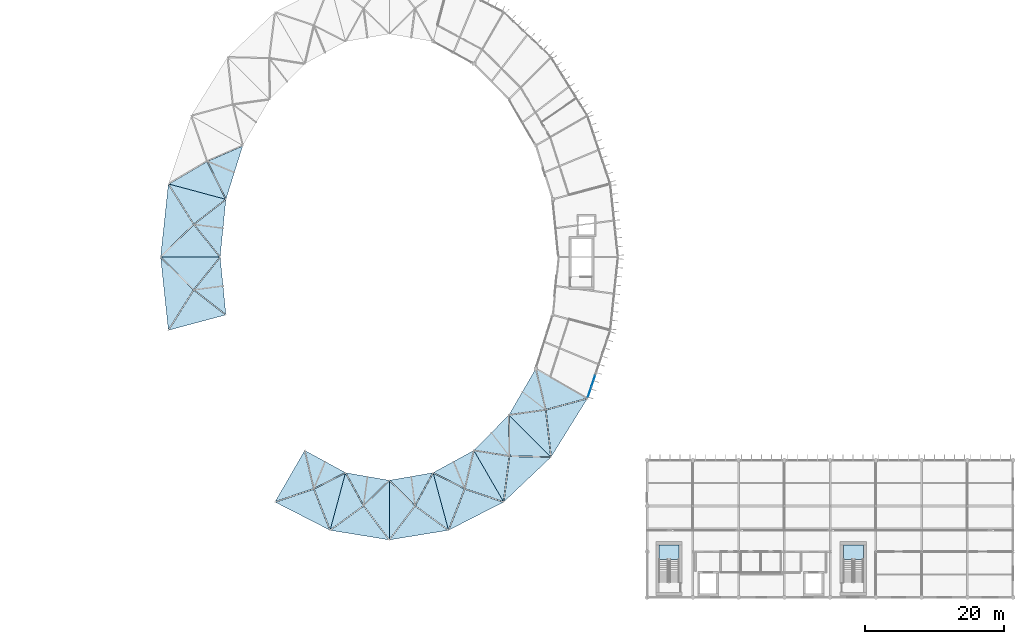
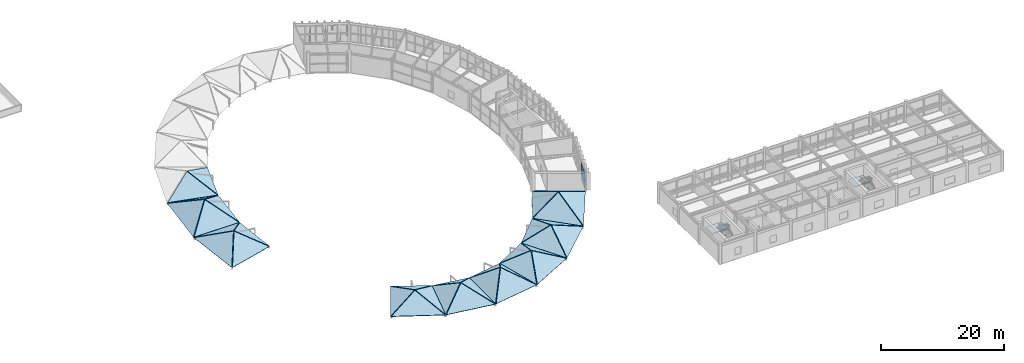
# One storey, part 45 of 66: 36 slabs, 4 plates, 3 elements without a shape of their own.
"""IFC4 building model written with IfcOpenShell, lengths in metres."""

from ifc_helpers import new_model, si_unit, direction, frame, origin, origin_2d, place, context, subcontext, project, spatial, polyline, rectangle, outline, extrude, material, layer, layer_set, type_object, element, aggregate, save


model = new_model("IFC4")

# Units and contexts
model_context = context("Model", 3, precision=1e-05, world=origin(), true_north=direction((0.0, 1.0)))
body_context = subcontext(model_context, "Body", "Model", "MODEL_VIEW")
ifc_project = project(units=[si_unit("LENGTHUNIT", "METRE"), si_unit("AREAUNIT", "SQUARE_METRE"), si_unit("VOLUMEUNIT", "CUBIC_METRE"), si_unit("PLANEANGLEUNIT", "RADIAN"), si_unit("MASSUNIT", "GRAM", prefix="KILO")], contexts=[model_context])

# Site, building, storey
site_placement = place(None, origin())
site = spatial("IfcSite", under=ifc_project, at=site_placement, CompositionType="ELEMENT")
building_placement = place(site_placement, origin())
building = spatial("IfcBuilding", under=site, at=building_placement, Name="Karori Crest Natural Sciences Institute", CompositionType="ELEMENT")
storey_placement = place(building_placement, frame((0.0, 0.0, 30.10009765625)))
storey = spatial("IfcBuildingStorey", under=building, at=storey_placement, Name="L07", CompositionType="ELEMENT", Elevation=30.10009765625)

# Curtain wall, plates
ifc_material_1 = material(Name="Anodised architectural aluminium 6063-T6", Category="aluminium")
curtain_wall_type = type_object("IfcCurtainWallType", Name="CWT-03", PredefinedType="NOTDEFINED", material=ifc_material_1)
curtain_wall_placement = place(storey_placement, origin())
curtain_wall = element("IfcCurtainWall", 1, at=curtain_wall_placement, inside=storey, type_object=curtain_wall_type, Name="Curtain wall CW-0240", PredefinedType="NOTDEFINED")
ifc_material_2 = material(Name="Double low-E laminated glass", Category="glass")
ifc_layer_1 = layer(ifc_material_2, 0.033935546875, Name="Double low-E laminated glass")
ifc_layer_set_1 = layer_set([ifc_layer_1], Name="Double low-E laminated glass")
plate_type = type_object("IfcPlateType", Name="CWP-02", PredefinedType="CURTAIN_PANEL", material=ifc_layer_set_1)
plate_1_placement = place(storey_placement, frame((95.827880859375, 32.0341796875, 0.06494140625), z_axis=(0.0, 0.0, 1.0), x_axis=(-0.317679803392, -0.94819805026, 0.0)))
plate_1 = element("IfcPlate", 2, at=plate_1_placement, type_object=plate_type, Name="CW-0240 panel 5.1", PredefinedType="CURTAIN_PANEL", context=body_context, shape_type="SweptSolid", body=[
    extrude(rectangle(XDim=1.628662109375, YDim=0.033935546875, at=origin_2d()), origin(), (0.0, 0.0, 1.0), 1.6650390625),
])
plate_2_placement = place(storey_placement, frame((95.827880859375, 32.0341796875, 1.794921875), z_axis=(0.0, 0.0, 1.0), x_axis=(-0.317679803392, -0.94819805026, 0.0)))
plate_2 = element("IfcPlate", 3, at=plate_2_placement, type_object=plate_type, Name="CW-0240 panel 5.2", PredefinedType="CURTAIN_PANEL", context=body_context, shape_type="SweptSolid", body=[
    extrude(rectangle(XDim=1.628662109375, YDim=0.033935546875, at=origin_2d()), origin(), (0.0, 0.0, 1.0), 1.6650390625),
])
plate_3_placement = place(storey_placement, frame((95.294921875, 30.443603515625, 0.06494140625), z_axis=(0.0, 0.0, 1.0), x_axis=(-0.317679803392, -0.94819805026, 0.0)))
plate_3 = element("IfcPlate", 4, at=plate_3_placement, type_object=plate_type, Name="CW-0240 panel 6.1", PredefinedType="CURTAIN_PANEL", context=body_context, shape_type="SweptSolid", body=[
    extrude(rectangle(XDim=1.59619140625, YDim=0.033935546875, at=origin_2d()), origin(), (0.0, 0.0, 1.0), 1.6650390625),
])
plate_4_placement = place(storey_placement, frame((95.294921875, 30.443603515625, 1.794921875), z_axis=(0.0, 0.0, 1.0), x_axis=(-0.317679803392, -0.94819805026, 0.0)))
plate_4 = element("IfcPlate", 5, at=plate_4_placement, type_object=plate_type, Name="CW-0240 panel 6.2", PredefinedType="CURTAIN_PANEL", context=body_context, shape_type="SweptSolid", body=[
    extrude(rectangle(XDim=1.59619140625, YDim=0.033935546875, at=origin_2d()), origin(), (0.0, 0.0, 1.0), 1.6650390625),
])
aggregate(curtain_wall, [plate_1, plate_2, plate_3, plate_4])

# Stair, slab
ifc_material_3 = material(Name="Concrete 40 MPa", Category="concrete")
stair_type = type_object("IfcStairType", Name="STT-01", PredefinedType="HALF_TURN_STAIR", material=ifc_material_3)
stair_1_placement = place(storey_placement, origin())
stair_1 = element("IfcStair", 6, at=stair_1_placement, inside=storey, type_object=stair_type, Name="Protected stair ST-03-L07", PredefinedType="HALF_TURN_STAIR")
ifc_layer_2 = layer(ifc_material_3, 0.2099609375, Name="Concrete 40 MPa")
ifc_layer_set_2 = layer_set([ifc_layer_2], Name="Concrete 40 MPa")
slab_type_1 = type_object("IfcSlabType", Name="SLT-11", PredefinedType="LANDING", material=ifc_layer_set_2)
slab_1_placement = place(storey_placement, frame((0.0, 0.0, 1.889892578125)))
slab_1 = element("IfcSlab", 7, at=slab_1_placement, type_object=slab_type_1, Name="ST-03-L07 landing 1", PredefinedType="LANDING", context=body_context, shape_type="SweptSolid", body=[
    extrude(outline(polyline([(108.199951171875, 6.300048828125), (108.199951171875, 8.39990234375), (105.300048828125, 8.39990234375), (105.300048828125, 6.300048828125), (108.199951171875, 6.300048828125)])), origin(), (0.0, 0.0, 1.0), 0.2099609375),
])
aggregate(stair_1, [slab_1])

stair_2_placement = place(storey_placement, origin())
stair_2 = element("IfcStair", 8, at=stair_2_placement, inside=storey, type_object=stair_type, Name="Protected stair ST-04-L07", PredefinedType="HALF_TURN_STAIR")
slab_2_placement = place(storey_placement, frame((0.0, 0.0, 1.889892578125)))
slab_2 = element("IfcSlab", 9, at=slab_2_placement, type_object=slab_type_1, Name="ST-04-L07 landing 1", PredefinedType="LANDING", context=body_context, shape_type="SweptSolid", body=[
    extrude(outline(polyline([(134.800048828125, 6.300048828125), (134.800048828125, 8.39990234375), (131.89990234375, 8.39990234375), (131.89990234375, 6.300048828125), (134.800048828125, 6.300048828125)])), origin(), (0.0, 0.0, 1.0), 0.2099609375),
])
aggregate(stair_2, [slab_2])

# Slabs
ifc_layer_3 = layer(ifc_material_2, 0.139892578125, Name="Double low-E laminated glass")
ifc_layer_set_3 = layer_set([ifc_layer_3], Name="Double low-E laminated glass")
slab_type_2 = type_object("IfcSlabType", Name="SLT-14", PredefinedType="ROOF", material=ifc_layer_set_3)
slab_3_placement = place(storey_placement, frame((34.52685546875, 60.4609375, 0.05078125), z_axis=(-0.120848035393, -0.451048432969, 0.884279968934), x_axis=(0.965925242838, -0.258821222275, -1.214411e-05)))
element("IfcSlab", 10, at=slab_3_placement, inside=storey, type_object=slab_type_2, Name="V1-G11B Crystal gable SL-0051", PredefinedType="ROOF", context=body_context, shape_type="SweptSolid", body=[
    extrude(outline(polyline([(0.0, 0.0), (8.595895845284737, 0.0), (8.463136089386177, 0.07065287080297653), (4.540621175702531, 5.127993971487937), (0.13645442825438853, 0.0631136807080263), (0.0, 0.0)])), origin(), (0.0, 0.0, -1.0), 0.139892578125),
])
slab_4_placement = place(storey_placement, frame((42.830322265625, 58.236328125, 0.05078125), z_axis=(0.475498070616, -0.149236203586, 0.866966054918), x_axis=(0.299458042384, 0.954109470045, -4.667159e-06)))
element("IfcSlab", 11, at=slab_4_placement, inside=storey, type_object=slab_type_2, Name="V1-G11C Crystal gable SL-0052", PredefinedType="ROOF", context=body_context, shape_type="SweptSolid", body=[
    extrude(outline(polyline([(0.0, 0.0), (8.135558665909217, -4.440892098500626e-16), (8.003776424241813, 0.0724379933230777), (4.440515341066401, 4.798983329928966), (0.13820800107557174, 0.06011598479671565), (0.0, 0.0)])), origin(), (0.0, 0.0, -1.0), 0.139892578125),
])
slab_5_placement = place(storey_placement, frame((34.52587890625, 60.45751953125, 0.051025390625), z_axis=(-0.577218105075, 0.061468341202, 0.814273235593), x_axis=(-0.105888463389, -0.99437801329, 2.49157e-06)))
element("IfcSlab", 12, at=slab_5_placement, inside=storey, type_object=slab_type_2, Name="V1-G12A Crystal gable SL-0054", PredefinedType="ROOF", context=body_context, shape_type="SweptSolid", body=[
    extrude(outline(polyline([(0.0, 0.0), (10.615341374037307, 0.0), (10.474669390836198, 0.053723788070869624), (5.412531711730239, 5.1446586102980065), (0.1416809457531781, 0.050824472288955216), (0.0, 0.0)])), origin(), (0.0, 0.0, -1.0), 0.139892578125),
])
slab_6_placement = place(storey_placement, frame((33.402099609375, 49.901611328125, 0.051025390625), z_axis=(-4.833816e-06, -0.540916773915, 0.841076122402), x_axis=(0.999999999988, -2.614692e-06, 4.065607e-06)))
element("IfcSlab", 13, at=slab_6_placement, inside=storey, type_object=slab_type_2, Name="V1-G12B Crystal gable SL-0055", PredefinedType="ROOF", context=body_context, shape_type="SweptSolid", body=[
    extrude(outline(polyline([(0.0, 0.0), (8.595947265524575, -3.640525273422444e-21), (8.468017577457296, 0.07916850997425197), (4.781250000645214, 5.512063244231116), (0.13598632735548313, 0.06433815455863098), (0.0, 0.0)])), origin(), (0.0, 0.0, -1.0), 0.139892578125),
])
slab_7_placement = place(storey_placement, frame((41.99853515625, 49.902099609375, 0.051025390625), z_axis=(0.577656153301, -0.057627409069, 0.814243483411), x_axis=(0.099271128498, 0.995060421804, -2.240419e-06)))
element("IfcSlab", 14, at=slab_7_placement, inside=storey, type_object=slab_type_2, Name="V1-G12C Crystal gable SL-0056", PredefinedType="ROOF", context=body_context, shape_type="SweptSolid", body=[
    extrude(outline(polyline([(0.0, 0.0), (8.37143078939847, 0.0), (8.238586299403101, 0.07075460334200238), (4.318425857711658, 5.131914083279554), (0.1349353515515868, 0.0665174449090413), (0.0, 0.0)])), origin(), (0.0, 0.0, -1.0), 0.139892578125),
])
slab_8_placement = place(storey_placement, frame((42.8291015625, 58.23291015625, 0.051025390625), z_axis=(0.14071669115, 0.525213577695, 0.839255331015), x_axis=(-0.96592747076, 0.258812907505, -1.1838506e-05)))
element("IfcSlab", 15, at=slab_8_placement, inside=storey, type_object=slab_type_2, Name="V1-G12D Crystal gable SL-0057", PredefinedType="ROOF", context=body_context, shape_type="SweptSolid", body=[
    extrude(outline(polyline([(0.0, 0.0), (8.596131666659662, -2.220446049250313e-16), (8.458180987734385, 0.06037323203599581), (3.55639451632108, 5.483109214198899), (0.12538237852449038, 0.08308810042035258), (0.0, 0.0)])), origin(), (0.0, 0.0, -1.0), 0.139892578125),
])
slab_9_placement = place(storey_placement, frame((33.40185546875, 49.898193359375, 0.05078125), z_axis=(-0.506009274697, -0.05388061879, 0.86084347755), x_axis=(0.105883922036, -0.994378496878, 6.01583e-07)))
element("IfcSlab", 16, at=slab_9_placement, inside=storey, type_object=slab_type_2, Name="V1-G13A Crystal gable SL-0058", PredefinedType="ROOF", context=body_context, shape_type="SweptSolid", body=[
    extrude(outline(polyline([(0.0, 0.0), (10.615584142231457, 0.0), (10.47231723363255, 0.04686589252687182), (5.202835423411619, 4.864060678923983), (0.1422937023715231, 0.04975693977212323), (0.0, 0.0)])), origin(), (0.0, 0.0, -1.0), 0.139892578125),
])
slab_10_placement = place(storey_placement, frame((34.52587890625, 39.34228515625, 0.05078125), z_axis=(0.122493682275, -0.457110022322, 0.880934574924), x_axis=(0.965924210726, 0.258825074227, -9.169709e-06)))
element("IfcSlab", 17, at=slab_10_placement, inside=storey, type_object=slab_type_2, Name="V1-G13B Crystal gable SL-0059", PredefinedType="ROOF", context=body_context, shape_type="SweptSolid", body=[
    extrude(outline(polyline([(0.0, 0.0), (8.596131667049193, -2.220446049250313e-16), (8.468690082911829, 0.08005325979905033), (5.039829661354854, 5.221884204543359), (0.13936561031759342, 0.05719038200727848), (0.0, 0.0)])), origin(), (0.0, 0.0, -1.0), 0.139892578125),
])
slab_11_placement = place(storey_placement, frame((42.82958984375, 41.56787109375, 0.05078125), z_axis=(0.506398394891, 0.050514173909, 0.860818786904), x_axis=(-0.099271359682, 0.995060398717, 7.206128e-06)))
element("IfcSlab", 18, at=slab_11_placement, inside=storey, type_object=slab_type_2, Name="V1-G13C Crystal gable SL-0060", PredefinedType="ROOF", context=body_context, shape_type="SweptSolid", body=[
    extrude(outline(polyline([(0.0, 0.0), (8.371187854537347, 0.0), (8.23450364460897, 0.0626525029939694), (4.0530903027688545, 4.852138866056334), (0.13456943664357549, 0.06708648664429229), (0.0, 0.0)])), origin(), (0.0, 0.0, -1.0), 0.139892578125),
])
slab_12_placement = place(storey_placement, frame((41.998046875, 49.898193359375, 0.05078125), z_axis=(8.454095e-06, 0.470581165146, 0.882356711845), x_axis=(-0.999999999964, 3.978338e-06, 7.459527e-06)))
element("IfcSlab", 19, at=slab_12_placement, inside=storey, type_object=slab_type_2, Name="V1-G13D Crystal gable SL-0061", PredefinedType="ROOF", context=body_context, shape_type="SweptSolid", body=[
    extrude(outline(polyline([(0.0, 0.0), (8.595947265317816, 3.640525273422444e-21), (8.458496094665966, 0.06094898781789664), (3.814697264508939, 5.2520967382295565), (0.1296386724825796, 0.0761287907824827), (0.0, 0.0)])), origin(), (0.0, 0.0, -1.0), 0.139892578125),
])
slab_13_placement = place(storey_placement, frame((49.902587890625, 14.56689453125, 0.05078125), z_axis=(-0.207840484198, -0.405826234907, 0.8900041574), x_axis=(0.890063872145, -0.455835829549, 1.31203e-06)))
element("IfcSlab", 20, at=slab_13_placement, inside=storey, type_object=slab_type_2, Name="V1-G17A Crystal gable SL-0074", PredefinedType="ROOF", context=body_context, shape_type="SweptSolid", body=[
    extrude(outline(polyline([(0.0, 0.0), (8.937919823573427, 4.440892098500626e-16), (8.79705072421329, 0.05265013544860614), (4.129302267599499, 4.681798905788411), (0.13648550424091396, 0.06338396984898811), (0.0, 0.0)])), origin(), (0.0, 0.0, -1.0), 0.139892578125),
])
slab_14_placement = place(storey_placement, frame((57.85791015625, 10.49267578125, 0.05078125), z_axis=(0.478749432719, -0.128307176002, 0.868525330234), x_axis=(0.258817695459, 0.965926187444, 3.0438328e-05)))
element("IfcSlab", 21, at=slab_14_placement, inside=storey, type_object=slab_type_2, Name="V1-G17B Crystal gable SL-0075", PredefinedType="ROOF", context=body_context, shape_type="SweptSolid", body=[
    extrude(outline(polyline([(0.0, 0.0), (8.59583265376409, 0.0), (8.4628094389476, 0.0699866748144268), (5.1540761317209745, 4.301282865240061), (0.14478282519483937, 0.041441282146889184), (0.0, 0.0)])), origin(), (0.0, 0.0, -1.0), 0.139892578125),
])
slab_15_placement = place(storey_placement, frame((60.082275390625, 18.796630859375, 0.05078125), z_axis=(0.219150250554, 0.400882847755, 0.889531399141), x_axis=(-0.877462454437, 0.479645328118, 1.6336346e-05)))
element("IfcSlab", 22, at=slab_15_placement, inside=storey, type_object=slab_type_2, Name="V1-G17C Crystal gable SL-0076", PredefinedType="ROOF", context=body_context, shape_type="SweptSolid", body=[
    extrude(outline(polyline([(0.0, 0.0), (6.702646535170945, -4.440892098500626e-16), (6.568869463194313, 0.06863583689517261), (2.9007959544157544, 4.655117382163888), (0.12373680466496423, 0.08543646642863956), (0.0, 0.0)])), origin(), (0.0, 0.0, -1.0), 0.139892578125),
])
slab_16_placement = place(storey_placement, frame((54.200439453125, 22.011474609375, 0.05078125), z_axis=(-0.42139670797, 0.243294159613, 0.873631939898), x_axis=(-0.499991063534, -0.866030563171, 6.398436e-06)))
element("IfcSlab", 23, at=slab_16_placement, inside=storey, type_object=slab_type_2, Name="V1-G17D Crystal gable SL-0077", PredefinedType="ROOF", context=body_context, shape_type="SweptSolid", body=[
    extrude(outline(polyline([(0.0, 0.0), (8.595909818028236, 8.881784197001252e-16), (8.455283456902908, 0.05359514129269759), (4.148141292241342, 4.38274308792331), (0.1386767781519309, 0.058723399112903994), (0.0, 0.0)])), origin(), (0.0, 0.0, -1.0), 0.139892578125),
])
slab_17_placement = place(storey_placement, frame((57.861083984375, 10.49169921875, 0.05078125), z_axis=(-0.083691833083, -0.514140861677, 0.853612822906), x_axis=(0.987009242636, -0.160663483558, 1.113982e-06)))
element("IfcSlab", 24, at=slab_17_placement, inside=storey, type_object=slab_type_2, Name="V1-G18A Crystal gable SL-0078", PredefinedType="ROOF", context=body_context, shape_type="SweptSolid", body=[
    extrude(outline(polyline([(0.0, 0.0), (8.64947161741292, 2.220446049250313e-16), (8.512120206760377, 0.061129561768364475), (4.196387329924574, 4.895190633119972), (0.13563240457422074, 0.0653660906511011), (0.0, 0.0)])), origin(), (0.0, 0.0, -1.0), 0.139892578125),
])
slab_18_placement = place(storey_placement, frame((66.3984375, 9.10205078125, 0.051025390625), z_axis=(0.573490278875, -9.395845e-06, 0.819212365597), x_axis=(5.388426e-06, 0.999999999956, 7.697192e-06)))
element("IfcSlab", 25, at=slab_18_placement, inside=storey, type_object=slab_type_2, Name="V1-G18B Crystal gable SL-0079", PredefinedType="ROOF", context=body_context, shape_type="SweptSolid", body=[
    extrude(outline(polyline([(0.0, 0.0), (8.595947265245567, 0.0), (8.461669921667742, 0.06766263704686402), (4.913330078176472, 4.441393057813249), (0.1430664056647445, 0.04734184255216353), (0.0, 0.0)])), origin(), (0.0, 0.0, -1.0), 0.139892578125),
])
slab_19_placement = place(storey_placement, frame((66.397705078125, 17.69873046875, 0.05078125), z_axis=(0.089212906604, 0.513360438442, 0.853523355004), x_axis=(-0.985240268485, 0.171177138583, 2.4108468e-05)))
element("IfcSlab", 26, at=slab_19_placement, inside=storey, type_object=slab_type_2, Name="V1-G18C Crystal gable SL-0080", PredefinedType="ROOF", context=body_context, shape_type="SweptSolid", body=[
    extrude(outline(polyline([(0.0, 0.0), (6.405811208494654, 0.0), (6.277871825768253, 0.07921833348466197), (3.0304515321299155, 4.873708747738736), (0.12360393425078456, 0.08559965265775006), (0.0, 0.0)])), origin(), (0.0, 0.0, -1.0), 0.139892578125),
])
slab_20_placement = place(storey_placement, frame((60.0859375, 18.794921875, 0.051025390625), z_axis=(-0.55052666811, 0.147511602028, 0.821681638451), x_axis=(-0.258819066188, -0.965925820637, -1.865576e-06)))
element("IfcSlab", 27, at=slab_20_placement, inside=storey, type_object=slab_type_2, Name="V1-G18D Crystal gable SL-0081", PredefinedType="ROOF", context=body_context, shape_type="SweptSolid", body=[
    extrude(outline(polyline([(0.0, 0.0), (8.59613166749273, -2.220446049250313e-16), (8.454825378286145, 0.05176843823828796), (3.9413286201560815, 4.46955383873624), (0.13645938089269927, 0.0633066884912117), (0.0, 0.0)])), origin(), (0.0, 0.0, -1.0), 0.139892578125),
])
slab_21_placement = place(storey_placement, frame((66.401611328125, 9.101806640625, 0.051025390625), z_axis=(0.092938673054, -0.571078628981, 0.815617313801), x_axis=(0.98701118845, 0.160651528516, 1.611602e-05)))
element("IfcSlab", 28, at=slab_21_placement, inside=storey, type_object=slab_type_2, Name="V1-G19A Crystal gable SL-0082", PredefinedType="ROOF", context=body_context, shape_type="SweptSolid", body=[
    extrude(outline(polyline([(0.0, 0.0), (8.64947161573178, 0.0), (8.51556522004762, 0.06830093277065782), (4.453358857597621, 5.125439430606085), (0.13618578722828825, 0.06431793136681538), (0.0, 0.0)])), origin(), (0.0, 0.0, -1.0), 0.139892578125),
])
slab_22_placement = place(storey_placement, frame((74.93896484375, 10.49169921875, 0.05126953125), z_axis=(0.606338388778, 0.162471659889, 0.778432218004), x_axis=(-0.258822028141, 0.965925026979, -2.197929e-06)))
element("IfcSlab", 29, at=slab_22_placement, inside=storey, type_object=slab_type_2, Name="V1-G19B Crystal gable SL-0083", PredefinedType="ROOF", context=body_context, shape_type="SweptSolid", body=[
    extrude(outline(polyline([(0.0, 0.0), (8.59613166748062, 2.220446049250313e-16), (8.461512603978088, 0.06703080249597751), (4.654773723744102, 4.720283457529106), (0.13995454799226345, 0.055333774507706615), (0.0, 0.0)])), origin(), (0.0, 0.0, -1.0), 0.139892578125),
])
slab_23_placement = place(storey_placement, frame((72.71337890625, 18.79541015625, 0.051025390625), z_axis=(-0.099067635894, 0.570230284354, 0.815489439738), x_axis=(-0.985238161278, -0.171189267601, 1.4824609e-05)))
element("IfcSlab", 30, at=slab_23_placement, inside=storey, type_object=slab_type_2, Name="V1-G19C Crystal gable SL-0084", PredefinedType="ROOF", context=body_context, shape_type="SweptSolid", body=[
    extrude(outline(polyline([(0.0, 0.0), (6.405853002261084, 0.0), (6.283768380034532, 0.08805570018182132), (3.375285581224459, 5.1028421823593), (0.12609098249166242, 0.0818887437340432), (0.0, 0.0)])), origin(), (0.0, 0.0, -1.0), 0.139892578125),
])
slab_24_placement = place(storey_placement, frame((66.401611328125, 17.697998046875, 0.05126953125), z_axis=(-0.631233166476, -1.6272132e-05, 0.775593120957), x_axis=(1.0271509e-05, -0.999999999868, -1.2620554e-05)))
element("IfcSlab", 31, at=slab_24_placement, inside=storey, type_object=slab_type_2, Name="V1-G19D Crystal gable SL-0085", PredefinedType="ROOF", context=body_context, shape_type="SweptSolid", body=[
    extrude(outline(polyline([(0.0, 0.0), (8.595947264486973, 1.4562101093689776e-20), (8.454345704042572, 0.05120714275356442), (3.682861326523597, 4.693729183957183), (0.1323242185321045, 0.07115013379063978), (0.0, 0.0)])), origin(), (0.0, 0.0, -1.0), 0.139892578125),
])
slab_25_placement = place(storey_placement, frame((74.94189453125, 10.49267578125, 0.05078125), z_axis=(0.221915759375, -0.433297037322, 0.873502760836), x_axis=(0.890066908358, 0.455829900853, -1.1595041e-05)))
element("IfcSlab", 32, at=slab_25_placement, inside=storey, type_object=slab_type_2, Name="V1-G20A Crystal gable SL-0086", PredefinedType="ROOF", context=body_context, shape_type="SweptSolid", body=[
    extrude(outline(polyline([(0.0, 0.0), (8.938137124313327, 4.440892098500626e-16), (8.802196806216566, 0.06464283799242936), (4.808899532029938, 4.77095383306047), (0.1406512111225428, 0.0539019967101102), (0.0, 0.0)])), origin(), (0.0, 0.0, -1.0), 0.139892578125),
])
slab_26_placement = place(storey_placement, frame((82.8974609375, 14.567138671875, 0.05078125), z_axis=(0.448763050569, 0.259077363351, 0.855272263226), x_axis=(-0.499984946573, 0.866034094691, 5.775984e-06)))
element("IfcSlab", 33, at=slab_26_placement, inside=storey, type_object=slab_type_2, Name="V1-G20B Crystal gable SL-0087", PredefinedType="ROOF", context=body_context, shape_type="SweptSolid", body=[
    extrude(outline(polyline([(0.0, 0.0), (8.59590981806276, -4.440892098500626e-16), (8.457900042263839, 0.06022825508979154), (4.447711860292969, 4.477852939575729), (0.13999206040299197, 0.055139505208808434), (0.0, 0.0)])), origin(), (0.0, 0.0, -1.0), 0.139892578125),
])
slab_27_placement = place(storey_placement, frame((78.59912109375, 22.011474609375, 0.05078125), z_axis=(-0.23394118808, 0.427966169741, 0.872992828193), x_axis=(-0.877464905184, -0.479640844941, -5.87308e-06)))
element("IfcSlab", 34, at=slab_27_placement, inside=storey, type_object=slab_type_2, Name="V1-G20C Crystal gable SL-0088", PredefinedType="ROOF", context=body_context, shape_type="SweptSolid", body=[
    extrude(outline(polyline([(0.0, 0.0), (6.702646536149592, 4.440892098500626e-16), (6.579766632645413, 0.08652430965950114), (3.801870552855647, 4.743948638910263), (0.1332315246940002, 0.06992639642319622), (0.0, 0.0)])), origin(), (0.0, 0.0, -1.0), 0.139892578125),
])
slab_28_placement = place(storey_placement, frame((72.71728515625, 18.795654296875, 0.051025390625), z_axis=(-0.509377900924, -0.136479797477, 0.849651351397), x_axis=(0.258821349368, -0.965925208807, 1.0120363e-05)))
element("IfcSlab", 35, at=slab_28_placement, inside=storey, type_object=slab_type_2, Name="V1-G20D Crystal gable SL-0089", PredefinedType="ROOF", context=body_context, shape_type="SweptSolid", body=[
    extrude(outline(polyline([(0.0, 0.0), (8.59589584548557, 2.220446049250313e-16), (8.451539398470539, 0.043121204397468665), (3.4418759503368332, 4.398004587722398), (0.13231742272641037, 0.07152271795927508), (0.0, 0.0)])), origin(), (0.0, 0.0, -1.0), 0.139892578125),
])
slab_29_placement = place(storey_placement, frame((82.900146484375, 14.56884765625, 0.05078125), z_axis=(0.328645457696, -0.346413981095, 0.878629339846), x_axis=(0.725474831395, 0.688248697042, -5.732662e-06)))
element("IfcSlab", 36, at=slab_29_placement, inside=storey, type_object=slab_type_2, Name="V1-G21A Crystal gable SL-0090", PredefinedType="ROOF", context=body_context, shape_type="SweptSolid", body=[
    extrude(outline(polyline([(0.0, 0.0), (9.416622715762356, 0.0), (9.27962990422243, 0.06176682084318738), (5.149302354016394, 4.734659100578689), (0.14256326078595818, 0.04836196322735074), (0.0, 0.0)])), origin(), (0.0, 0.0, -1.0), 0.139892578125),
])
slab_30_placement = place(storey_placement, frame((89.731689453125, 21.05029296875, 0.05078125), z_axis=(0.343132878666, 0.34310205036, 0.874380243725), x_axis=(-0.707099301434, 0.707114260603, 1.9060531e-05)))
element("IfcSlab", 37, at=slab_30_placement, inside=storey, type_object=slab_type_2, Name="V1-G21B Crystal gable SL-0091", PredefinedType="ROOF", context=body_context, shape_type="SweptSolid", body=[
    extrude(outline(polyline([(0.0, 0.0), (8.595766806756647, -4.440892098500626e-16), (8.45835055284599, 0.060944762919575186), (4.34794711252824, 4.654252959179752), (0.13810679445363513, 0.059263315877038605), (0.0, 0.0)])), origin(), (0.0, 0.0, -1.0), 0.139892578125),
])
slab_31_placement = place(storey_placement, frame((83.6533203125, 27.12841796875, 0.05078125), z_axis=(-0.340798541814, 0.336581731716, 0.877820648978), x_axis=(-0.702667404735, -0.711518459344, 1.8327525e-05)))
element("IfcSlab", 38, at=slab_31_placement, inside=storey, type_object=slab_type_2, Name="V1-G21C Crystal gable SL-0092", PredefinedType="ROOF", context=body_context, shape_type="SweptSolid", body=[
    extrude(outline(polyline([(0.0, 0.0), (7.187736642599717, 0.0), (7.0628617101897335, 0.08363097094437677), (4.168657915784266, 4.704851089669084), (0.1365568584878051, 0.06300107751758832), (0.0, 0.0)])), origin(), (0.0, 0.0, -1.0), 0.139892578125),
])
slab_32_placement = place(storey_placement, frame((78.6025390625, 22.01318359375, 0.05078125), z_axis=(-0.430355407384, -0.248487854622, 0.867783388549), x_axis=(0.49999916226, -0.86602588716, -2.2553533e-05)))
element("IfcSlab", 39, at=slab_32_placement, inside=storey, type_object=slab_type_2, Name="V1-G21D Crystal gable SL-0093", PredefinedType="ROOF", context=body_context, shape_type="SweptSolid", body=[
    extrude(outline(polyline([(0.0, 0.0), (8.595909815355638, -4.440892098500626e-16), (8.451811897717233, 0.04323865231754784), (3.2833458480328583, 4.5430601143951455), (0.12944882835452073, 0.07675588808369452), (0.0, 0.0)])), origin(), (0.0, 0.0, -1.0), 0.139892578125),
])
slab_33_placement = place(storey_placement, frame((89.734130859375, 21.052490234375, 0.051025390625), z_axis=(0.489929196653, -0.304060848161, 0.817016758018), x_axis=(0.527318054981, 0.849667975673, 2.759161e-06)))
element("IfcSlab", 40, at=slab_33_placement, inside=storey, type_object=slab_type_2, Name="V1-G22A Crystal gable SL-0094", PredefinedType="ROOF", context=body_context, shape_type="SweptSolid", body=[
    extrude(outline(polyline([(0.0, 0.0), (9.9412563229663, 4.440892098500626e-16), (9.804232597018794, 0.06225650767866234), (5.38841601780321, 5.100704917958627), (0.14192128933576378, 0.050448051544123115), (0.0, 0.0)])), origin(), (0.0, 0.0, -1.0), 0.139892578125),
])
slab_34_placement = place(storey_placement, frame((94.976318359375, 29.49951171875, 0.051025390625), z_axis=(0.280699600162, 0.486158320725, 0.827561370328), x_axis=(-0.866017854593, 0.500013075314, 6.462944e-06)))
element("IfcSlab", 41, at=slab_34_placement, inside=storey, type_object=slab_type_2, Name="V1-G22B Crystal gable SL-0095", PredefinedType="ROOF", context=body_context, shape_type="SweptSolid", body=[
    extrude(outline(polyline([(0.0, 0.0), (8.596031887974178, 4.440892098500626e-16), (8.462533948743546, 0.06942627022952849), (4.382223670403902, 5.232361590764115), (0.13493276641538227, 0.0669139946003805), (0.0, 0.0)])), origin(), (0.0, 0.0, -1.0), 0.139892578125),
])
slab_35_placement = place(storey_placement, frame((87.531494140625, 33.797607421875, 0.051025390625), z_axis=(-0.4995771726, 0.290506756427, 0.816105675196), x_axis=(-0.502671663994, -0.864477413212, 1.6224214e-05)))
element("IfcSlab", 42, at=slab_35_placement, inside=storey, type_object=slab_type_2, Name="V1-G22C Crystal gable SL-0096", PredefinedType="ROOF", context=body_context, shape_type="SweptSolid", body=[
    extrude(outline(polyline([(0.0, 0.0), (7.710418701520442, -4.440892098500626e-16), (7.584843817364695, 0.08261189927442862), (4.391615385379264, 5.0750808263584934), (0.1359356984500831, 0.0646580861746738), (0.0, 0.0)])), origin(), (0.0, 0.0, -1.0), 0.139892578125),
])
slab_36_placement = place(storey_placement, frame((83.656005859375, 27.130859375, 0.051025390625), z_axis=(-0.405001973044, -0.404982749289, 0.819733111817), x_axis=(0.707091733375, -0.707121828676, 1.713827e-06)))
element("IfcSlab", 43, at=slab_36_placement, inside=storey, type_object=slab_type_2, Name="V1-G22D Crystal gable SL-0097", PredefinedType="ROOF", context=body_context, shape_type="SweptSolid", body=[
    extrude(outline(polyline([(0.0, 0.0), (8.595939444005193, 0.0), (8.454551765059616, 0.051587942096129366), (3.2497410721838085, 5.127078102815782), (0.12446735701885758, 0.0844353553229008), (0.0, 0.0)])), origin(), (0.0, 0.0, -1.0), 0.139892578125),
])

save(model, "model.ifc")
